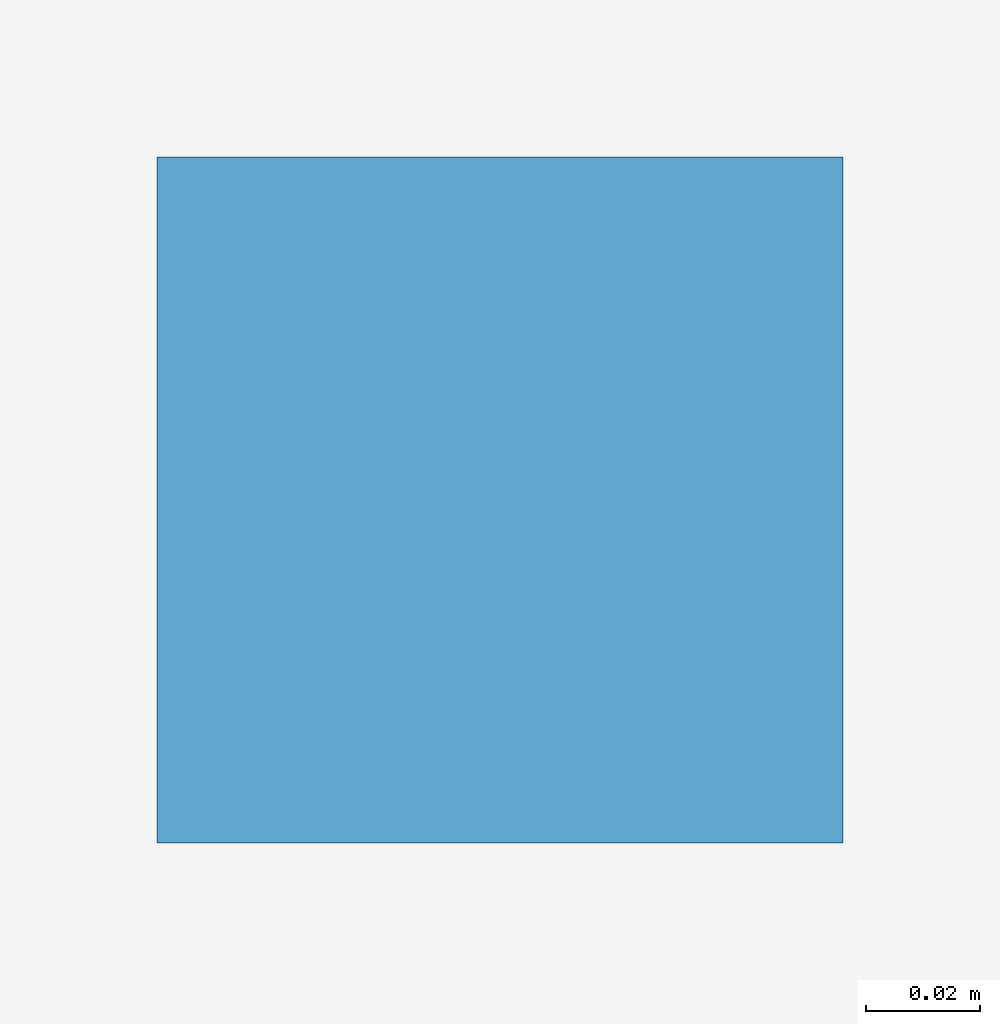
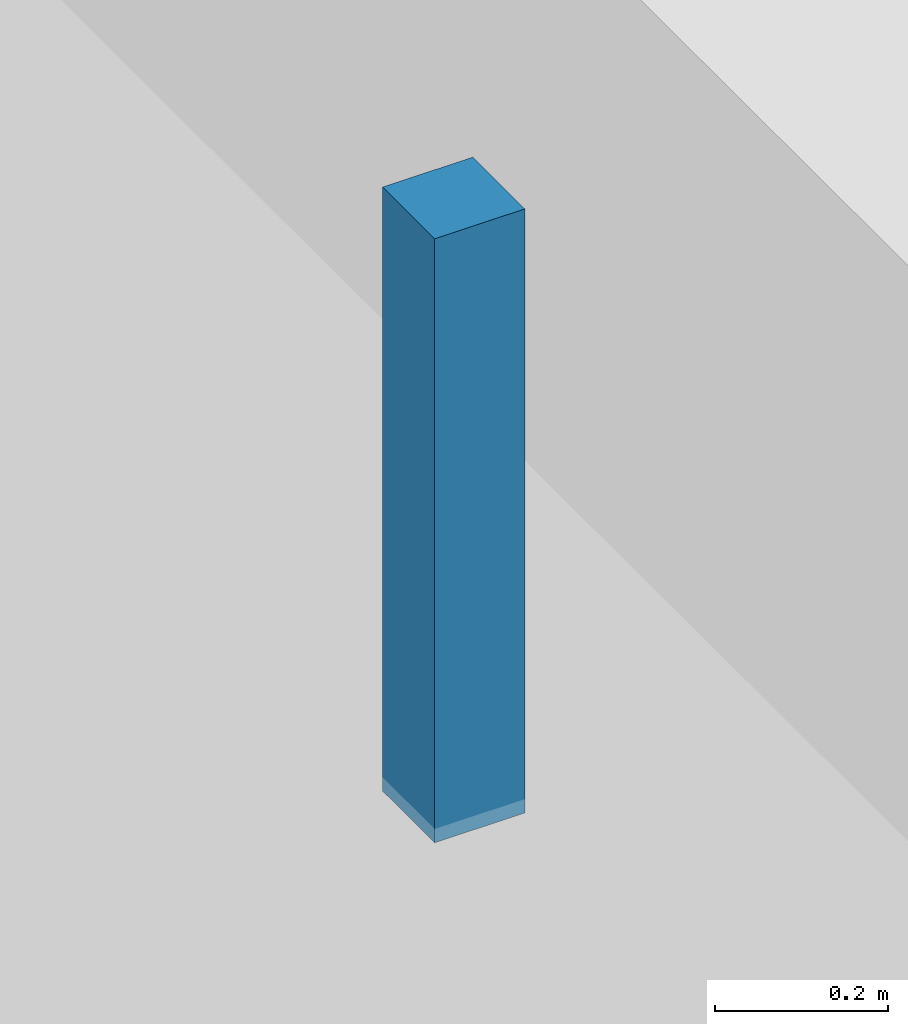
# One storey, part 73 of 109: 1 discrete accessory.
"""IFC4 building model written with IfcOpenShell, lengths in metres."""

from ifc_helpers import new_model, si_unit, derived_unit, direction, frame, origin, origin_2d, place, context, subcontext, project, spatial, rectangle, extrude, material, type_object, element, save


model = new_model("IFC4")

# Units and contexts
model_context = context("Model", 3, precision=1e-05, world=origin(), true_north=direction((0.0, 1.0)))
body_context = subcontext(model_context, "Body", "Model", "MODEL_VIEW")
ifc_project = project(units=[si_unit("LENGTHUNIT", "METRE"), si_unit("AREAUNIT", "SQUARE_METRE"), si_unit("VOLUMEUNIT", "CUBIC_METRE"), si_unit("PLANEANGLEUNIT", "RADIAN"), si_unit("MASSUNIT", "GRAM", prefix="KILO"), derived_unit("THERMALTRANSMITTANCEUNIT", [(si_unit("MASSUNIT", "GRAM", prefix="KILO"), 1), (si_unit("TIMEUNIT", "SECOND"), -3), (si_unit("THERMODYNAMICTEMPERATUREUNIT", "KELVIN"), -1)])], contexts=[model_context])

# Site, building, storey
site_placement = place(None, origin())
site = spatial("IfcSite", under=ifc_project, at=site_placement, CompositionType="ELEMENT")
building_placement = place(site_placement, origin())
building = spatial("IfcBuilding", under=site, at=building_placement, Name="Kharveza Railside Sports Centre", CompositionType="ELEMENT")
storey_placement = place(building_placement, frame((0.0, 0.0, 4.5)))
storey = spatial("IfcBuildingStorey", under=building, at=storey_placement, Name="L01", CompositionType="ELEMENT", Elevation=4.5)

# Discrete accessory
ifc_material = material(Name="Steel S275JR", Category="steel")
discrete_accessory_type = type_object("IfcDiscreteAccessoryType", Name="DA-BK01", PredefinedType="BRACKET", material=ifc_material)
discrete_accessory_placement = place(storey_placement, frame((115.10009765625, 17.10009765625, 3.169921875), z_axis=(0.0, 0.0, 1.0), x_axis=(1.0, 0.0, 0.0)))
element("IfcDiscreteAccessory", 1, at=discrete_accessory_placement, inside=storey, type_object=discrete_accessory_type, Name="BK-COV-CL-CLN1", PredefinedType="BRACKET", context=body_context, shape_type="SweptSolid", body=[
    extrude(rectangle(XDim=0.1201171875, YDim=0.1201171875, at=origin_2d()), origin(), (0.0, 0.0, 1.0), 0.85009765625),
])

save(model, "model.ifc")
